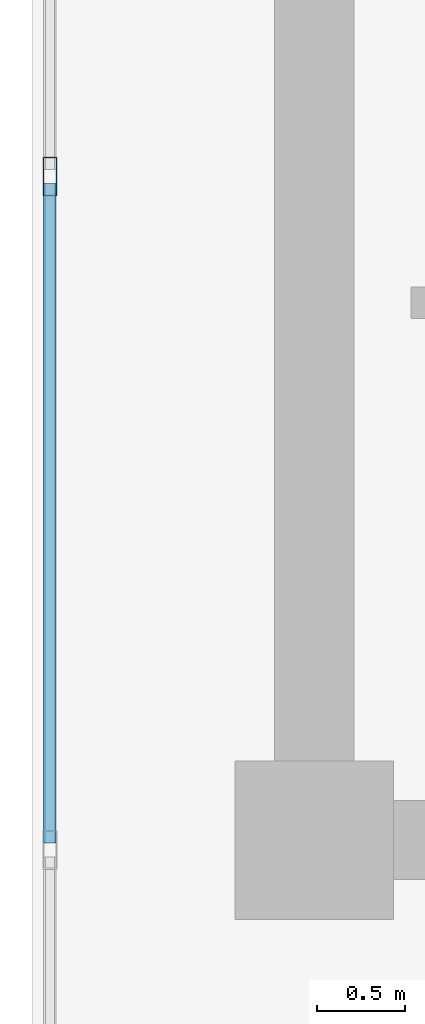
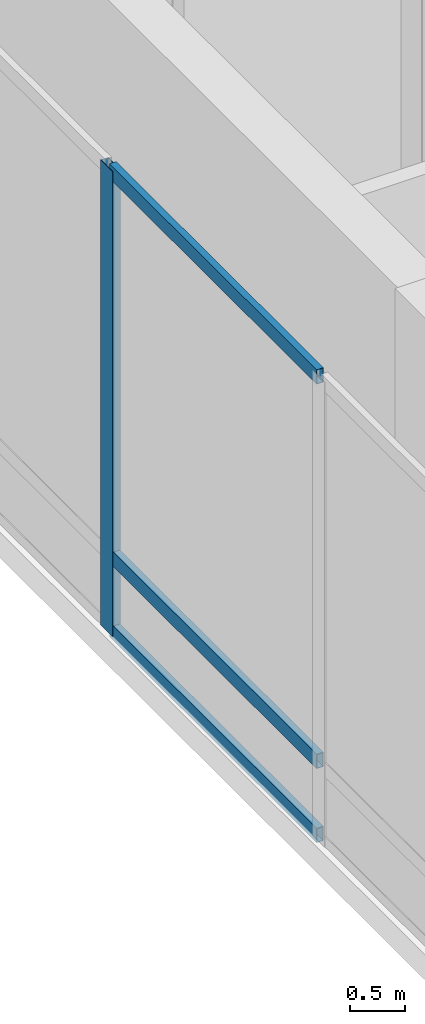
# One storey, part 6 of 30: 4 members, 1 element without a shape of its own.
"""IFC4 building model written with IfcOpenShell, lengths in metres."""

import ifcopenshell
import ifcopenshell.guid

model = None  # the IFC model being written
_history = None  # IfcOwnerHistory: only IFC2X3 demands one
_inside = {}  # id of a spatial element -> (the spatial element, [elements in it])
_under = {}  # id of a project, library or spatial element -> (it, [spatial elements below it])
_declared = {}  # id of a project -> (the project, [libraries it declares])
_typed = {}  # id of a type object -> (the type object, [elements of that type])
_made_of = {}  # id of a material, layer set ... -> (it, [elements and type objects made of it])


def new_model(schema):
    """Start an empty IFC model of exactly this schema.

    Asked for "IFC4X3", IfcOpenShell would pick the latest addendum, in which some entities
    have other attributes; the version numbers below select the first issue.
    IFC2X3 requires an IfcOwnerHistory on every rooted entity: one is made here for all.
    """
    global model, _history
    if schema == "IFC4X3":
        model = ifcopenshell.file(schema_version=(4, 3, 0, 0))
    else:
        model = ifcopenshell.file(schema=schema)
    _inside.clear()
    _under.clear()
    _declared.clear()
    _typed.clear()
    _made_of.clear()
    _history = None
    if model.schema == "IFC2X3":
        org = make("IfcOrganization", Name="unknown")
        user = make(
            "IfcPersonAndOrganization",
            ThePerson=make("IfcPerson", FamilyName="unknown"),
            TheOrganization=org,
        )
        app = make(
            "IfcApplication",
            ApplicationDeveloper=org,
            Version="unknown",
            ApplicationFullName="unknown",
            ApplicationIdentifier="unknown",
        )
        _history = make(
            "IfcOwnerHistory",
            OwningUser=user,
            OwningApplication=app,
            ChangeAction="ADDED",
            CreationDate=0,
        )
    return model


def make(cls, **values):
    """One entity of the class cls with the attributes given. An attribute that is None is left unset."""
    return model.create_entity(
        cls, **{name: value for name, value in values.items() if value is not None}
    )


def rooted(cls, **values):
    """An entity with a GlobalId (a new one), such as an element, a storey or a relation."""
    return make(cls, GlobalId=ifcopenshell.guid.new(), OwnerHistory=_history, **values)


def si_unit(unit_type, name, prefix=None):
    """IfcSIUnit, for example si_unit("LENGTHUNIT", "METRE", prefix="MILLI")."""
    return make("IfcSIUnit", UnitType=unit_type, Prefix=prefix, Name=name)


def assignment(units):
    """IfcUnitAssignment: the units of a project."""
    return None if units is None else make("IfcUnitAssignment", Units=units)


def point(xyz):
    """IfcCartesianPoint."""
    return None if xyz is None else make("IfcCartesianPoint", Coordinates=xyz)


def direction(xyz):
    """IfcDirection."""
    return None if xyz is None else make("IfcDirection", DirectionRatios=xyz)


def frame(location, z_axis=None, x_axis=None):
    """IfcAxis2Placement3D, a coordinate frame: its origin and axes. An axis left out is left unset."""
    return make(
        "IfcAxis2Placement3D",
        Location=point(location),
        Axis=direction(z_axis),
        RefDirection=direction(x_axis),
    )


def frame_2d(location, x_axis=None):
    """IfcAxis2Placement2D, a coordinate frame in the plane: its origin and x axis."""
    return make(
        "IfcAxis2Placement2D", Location=point(location), RefDirection=direction(x_axis)
    )


def origin():
    """The frame at (0, 0, 0) with its axes left unset."""
    return frame((0.0, 0.0, 0.0))


def origin_2d():
    """The frame at (0, 0) in the plane with its x axis left unset."""
    return frame_2d((0.0, 0.0))


def place(relative_to, where):
    """IfcLocalPlacement: puts the frame where relative to a parent placement (None: the world)."""
    return make(
        "IfcLocalPlacement", PlacementRelTo=relative_to, RelativePlacement=where
    )


def context(
    kind, dimensions, precision=None, world=None, true_north=None, identifier=None
):
    """IfcGeometricRepresentationContext, for example the 3D "Model" context."""
    return make(
        "IfcGeometricRepresentationContext",
        ContextIdentifier=identifier,
        ContextType=kind,
        CoordinateSpaceDimension=dimensions,
        Precision=precision,
        WorldCoordinateSystem=world,
        TrueNorth=true_north,
    )


def subcontext(parent, identifier, kind, view, scale=None):
    """IfcGeometricRepresentationSubContext, for example "Body" below "Model"."""
    return make(
        "IfcGeometricRepresentationSubContext",
        ContextIdentifier=identifier,
        ContextType=kind,
        ParentContext=parent,
        TargetScale=scale,
        TargetView=view,
    )


def project(units=None, contexts=None):
    """IfcProject with its units and contexts."""
    return rooted(
        "IfcProject",
        Name="project",
        RepresentationContexts=contexts,
        UnitsInContext=assignment(units),
    )


def spatial(cls, under=None, at=None, **own):
    """A site, building, storey or space (cls), placed at a placement, below another one or the project."""
    s = rooted(cls, ObjectPlacement=at, **own)
    if under is not None:
        _under.setdefault(under.id(), (under, []))[1].append(s)
    return s


def profile(cls, at=None, kind="AREA", **sizes):
    """A parametric profile (cls). Its sizes go by their IFC names, for example OverallWidth=200.0."""
    return make(cls, ProfileType=kind, Position=at, **sizes)


def hollow_rectangle(**sizes):
    """IfcRectangleHollowProfileDef."""
    return profile("IfcRectangleHollowProfileDef", **sizes)


def extrude(swept, where, along, depth):
    """IfcExtrudedAreaSolid: the profile swept, set in the frame where, extruded along a direction by depth."""
    return make(
        "IfcExtrudedAreaSolid",
        SweptArea=swept,
        Position=where,
        ExtrudedDirection=direction(along),
        Depth=depth,
    )


def shape(context_of_items, identifier, shape_type, items):
    """IfcShapeRepresentation: the items that make up one representation, for example the "Body"."""
    return make(
        "IfcShapeRepresentation",
        ContextOfItems=context_of_items,
        RepresentationIdentifier=identifier,
        RepresentationType=shape_type,
        Items=items,
    )


def source(mapping_origin, context_of_items, identifier, shape_type, items):
    """IfcRepresentationMap: a shape defined once, which mapped items show again and again."""
    return make(
        "IfcRepresentationMap",
        MappingOrigin=mapping_origin,
        MappedRepresentation=shape(context_of_items, identifier, shape_type, items),
    )


def transform(
    local_origin,
    x_axis=None,
    y_axis=None,
    z_axis=None,
    scale=None,
    scale2=None,
    scale3=None,
    uniform=True,
):
    """IfcCartesianTransformationOperator3D, or its non-uniform kind. x_axis, y_axis, z_axis: its Axis1, 2, 3."""
    if uniform:
        return make(
            "IfcCartesianTransformationOperator3D",
            Axis1=direction(x_axis),
            Axis2=direction(y_axis),
            LocalOrigin=point(local_origin),
            Scale=scale,
            Axis3=direction(z_axis),
        )
    return make(
        "IfcCartesianTransformationOperator3DnonUniform",
        Axis1=direction(x_axis),
        Axis2=direction(y_axis),
        LocalOrigin=point(local_origin),
        Scale=scale,
        Axis3=direction(z_axis),
        Scale2=scale2,
        Scale3=scale3,
    )


def mapped(mapping_source, mapping_target):
    """IfcMappedItem: shows the shape of a source again, moved by a transform."""
    return make(
        "IfcMappedItem", MappingSource=mapping_source, MappingTarget=mapping_target
    )


def material(Name=None, Category=None):
    """IfcMaterial."""
    return make("IfcMaterial", Name=Name, Category=Category)


def layer(
    of_material, thickness, ventilated=None, Name=None, Category=None, Priority=None
):
    """IfcMaterialLayer: one layer of a wall or slab, of a material (None: an air gap)."""
    return make(
        "IfcMaterialLayer",
        Material=of_material,
        LayerThickness=thickness,
        IsVentilated=ventilated,
        Name=Name,
        Category=Category,
        Priority=Priority,
    )


def layer_set(layers, Name=None):
    """IfcMaterialLayerSet."""
    return make("IfcMaterialLayerSet", MaterialLayers=layers, LayerSetName=Name)


def material_profile(
    of_material, cross_section, Name=None, Category=None, Priority=None
):
    """IfcMaterialProfile: a cross section and its material."""
    return make(
        "IfcMaterialProfile",
        Name=Name,
        Material=of_material,
        Profile=cross_section,
        Priority=Priority,
        Category=Category,
    )


def profile_set(profiles, Name=None, composite=None):
    """IfcMaterialProfileSet."""
    return make(
        "IfcMaterialProfileSet",
        Name=Name,
        MaterialProfiles=profiles,
        CompositeProfile=composite,
    )


def made_of(thing, what):
    """Note that an element or type object is made of a material, layer set ...; save() writes the relation."""
    if what is not None:
        _made_of.setdefault(what.id(), (what, []))[1].append(thing)
    return thing


def type_object(cls, material=None, **own):
    """A type object (cls), such as IfcWallType, which elements share."""
    return made_of(rooted(cls, **own), material)


def type_shapes(of_type, sources):
    """Give a type object the sources (RepresentationMaps) that its elements show as mapped items."""
    of_type.RepresentationMaps = sources


def element(
    cls,
    number,
    at=None,
    inside=None,
    cuts=None,
    type_object=None,
    material=None,
    context=None,
    identifier="Body",
    shape_type=None,
    held_by="IfcProductDefinitionShape",
    body=None,
    shapes=None,
    **own,
):
    """One element of the class cls, such as IfcWall. Its Tag is "e" and its number.

    at: its placement. inside: the storey or other place that contains it. cuts: it is an
    opening in that element (IfcRelVoidsElement). A single representation is given by context,
    identifier, shape_type and body (its items); several are given by shapes. held_by: the class
    of the entity that holds the representations. save() writes the other relations.
    """
    e = rooted(cls, Tag="e%d" % number, ObjectPlacement=at, **own)
    if body is not None:
        shapes = [shape(context, identifier, shape_type, body)]
    if shapes is not None:
        e.Representation = make(held_by, Representations=shapes)
    if inside is not None:
        _inside.setdefault(inside.id(), (inside, []))[1].append(e)
    if cuts is not None:
        rooted(
            "IfcRelVoidsElement", RelatingBuildingElement=cuts, RelatedOpeningElement=e
        )
    if type_object is not None:
        _typed.setdefault(type_object.id(), (type_object, []))[1].append(e)
    return made_of(e, material)


def aggregate(whole, parts):
    """IfcRelAggregates: a whole, such as a stair, and the parts it consists of."""
    return rooted("IfcRelAggregates", RelatingObject=whole, RelatedObjects=parts)


def save(model, path):
    """Write the relations noted so far, then the file.

    IfcRelAggregates (storeys below a building ...), IfcRelContainedInSpatialStructure (elements
    in a storey), IfcRelDefinesByType, IfcRelAssociatesMaterial and IfcRelDeclares: one each for
    every whole, place, type object, material and project.
    """
    for whole, parts in _under.values():
        aggregate(whole, parts)
    for where, things in _inside.values():
        rooted(
            "IfcRelContainedInSpatialStructure",
            RelatedElements=things,
            RelatingStructure=where,
        )
    for kind, things in _typed.values():
        rooted("IfcRelDefinesByType", RelatedObjects=things, RelatingType=kind)
    for what, things in _made_of.values():
        rooted("IfcRelAssociatesMaterial", RelatedObjects=things, RelatingMaterial=what)
    for by, libraries in _declared.values():
        rooted("IfcRelDeclares", RelatingContext=by, RelatedDefinitions=libraries)
    model.write(path)


model = new_model("IFC4")

# Units and contexts
model_context = context("Model", 3, precision=1e-05, world=origin(), true_north=direction((0.0, 1.0)))
body_context = subcontext(model_context, "Body", "Model", "MODEL_VIEW")
ifc_project = project(units=[si_unit("LENGTHUNIT", "METRE"), si_unit("AREAUNIT", "SQUARE_METRE"), si_unit("VOLUMEUNIT", "CUBIC_METRE"), si_unit("PLANEANGLEUNIT", "RADIAN"), si_unit("MASSUNIT", "GRAM", prefix="KILO")], contexts=[model_context])

# Site, building, storey
site_placement = place(None, origin())
site = spatial("IfcSite", under=ifc_project, at=site_placement, CompositionType="ELEMENT")
building_placement = place(site_placement, origin())
building = spatial("IfcBuilding", under=site, at=building_placement, Name="Haelvirn Gate Laboratories", CompositionType="ELEMENT")
storey_placement = place(building_placement, frame((0.0, 0.0, 327.0)))
storey = spatial("IfcBuildingStorey", under=building, at=storey_placement, Name="L78", CompositionType="ELEMENT", Elevation=327.0)

# Curtain wall, members
ifc_material_1 = material(Name="Anodised bronze unitised aluminium & triple low-E glass", Category="aluminium")
ifc_layer = layer(ifc_material_1, 0.19189453125, Name="CW-SYS-6")
ifc_layer_set = layer_set([ifc_layer], Name="Anodised bronze unitised aluminium & triple low-E glass")
curtain_wall_type = type_object("IfcCurtainWallType", Name="CW-SYS-6", PredefinedType="NOTDEFINED", material=ifc_layer_set)
curtain_wall_placement = place(storey_placement, origin())
curtain_wall = element("IfcCurtainWall", 1, at=curtain_wall_placement, inside=storey, type_object=curtain_wall_type, Name="L78 Unitised Curtain Wall CW-L78-P0-E17", PredefinedType="NOTDEFINED")
ifc_material_2 = material(Name="Extruded aluminium 6063-T6 (anodised bronze)", Category="aluminium")
ifc_material_profile_1 = material_profile(ifc_material_2, hollow_rectangle(XDim=0.080078125, YDim=0.219970703125, WallThickness=0.006103515625, at=origin_2d()), Name="CWM-220x80x6")
ifc_profile_set_1 = profile_set([ifc_material_profile_1], Name="Extruded aluminium 6063-T6 (anodised bronze)")
member_type_1 = type_object("IfcMemberType", Name="CWM-T220", PredefinedType="MULLION", material=ifc_profile_set_1)
shared_shape_1 = source(origin(), body_context, "Body", "SweptSolid", [
    extrude(hollow_rectangle(XDim=0.080078125, YDim=0.219970703125, WallThickness=0.006103515625, at=origin_2d()), origin(), (0.0, 0.0, 1.0), 5.1201171875),
])
type_shapes(member_type_1, [shared_shape_1])
member_1_placement = place(storey_placement, frame((5.89990234375, 18.566650390625, 0.0), z_axis=(0.0, 0.0, 1.0), x_axis=(1.0, 0.0, 0.0)))
member_1 = element("IfcMember", 2, at=member_1_placement, type_object=member_type_1, Name="CW6 mullion 7", PredefinedType="MULLION", context=body_context, shape_type="MappedRepresentation", body=[
    mapped(shared_shape_1, transform((0.0, 0.0, 0.0), scale=1.0)),
])
ifc_material_profile_2 = material_profile(ifc_material_2, hollow_rectangle(XDim=0.070068359375, YDim=0.159912109375, WallThickness=0.0048828125, at=origin_2d()), Name="CWT-160x70x5")
ifc_profile_set_2 = profile_set([ifc_material_profile_2], Name="Extruded aluminium 6063-T6 (anodised bronze)")
member_type_2 = type_object("IfcMemberType", Name="CWT-T160", PredefinedType="USERDEFINED", material=ifc_profile_set_2)
shared_shape_2 = source(origin(), body_context, "Body", "SweptSolid", [
    extrude(hollow_rectangle(XDim=0.070068359375, YDim=0.159912109375, WallThickness=0.0048828125, at=origin_2d()), origin(), (0.0, 0.0, 1.0), 3.7421875),
])
type_shapes(member_type_2, [shared_shape_2])
member_2_placement = place(storey_placement, frame((5.89990234375, 18.526611328125, 0.034912109375), z_axis=(0.0, -1.0, 0.0), x_axis=(1.0, 0.0, 0.0)))
member_2 = element("IfcMember", 3, at=member_2_placement, type_object=member_type_2, Name="CW6 transom 7.1", ObjectType="TRANSOM", PredefinedType="USERDEFINED", context=body_context, shape_type="MappedRepresentation", body=[
    mapped(shared_shape_2, transform((0.0, 0.0, 0.0), scale=1.0)),
])
member_3_placement = place(storey_placement, frame((5.89990234375, 18.526611328125, 0.85009765625), z_axis=(0.0, -1.0, 0.0), x_axis=(1.0, 0.0, 0.0)))
member_3 = element("IfcMember", 4, at=member_3_placement, type_object=member_type_2, Name="CW6 transom 7.2", ObjectType="TRANSOM", PredefinedType="USERDEFINED", context=body_context, shape_type="MappedRepresentation", body=[
    mapped(shared_shape_2, transform((0.0, 0.0, 0.0), scale=1.0)),
])
member_4_placement = place(storey_placement, frame((5.89990234375, 18.526611328125, 5.0849609375), z_axis=(0.0, -1.0, 0.0), x_axis=(1.0, 0.0, 0.0)))
member_4 = element("IfcMember", 5, at=member_4_placement, type_object=member_type_2, Name="CW6 transom 7.3", ObjectType="TRANSOM", PredefinedType="USERDEFINED", context=body_context, shape_type="MappedRepresentation", body=[
    mapped(shared_shape_2, transform((0.0, 0.0, 0.0), scale=1.0)),
])
aggregate(curtain_wall, [member_1, member_2, member_3, member_4])

save(model, "model.ifc")
